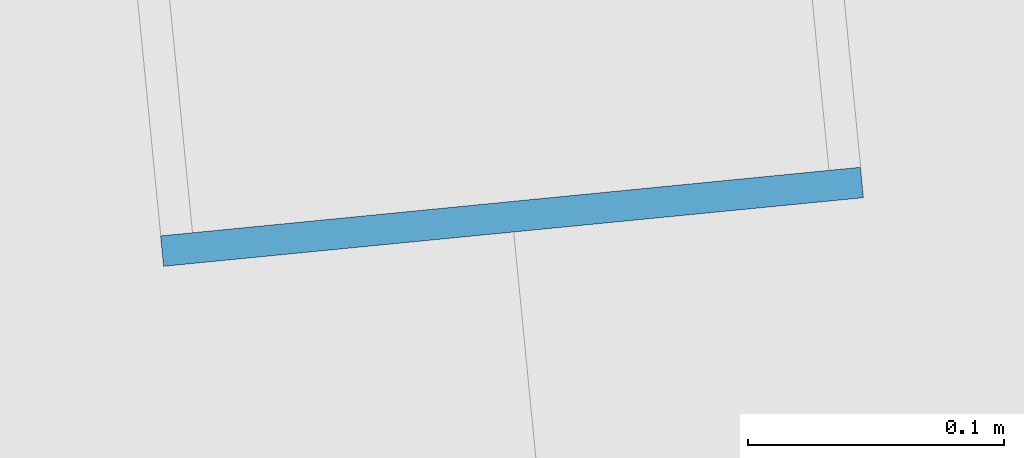
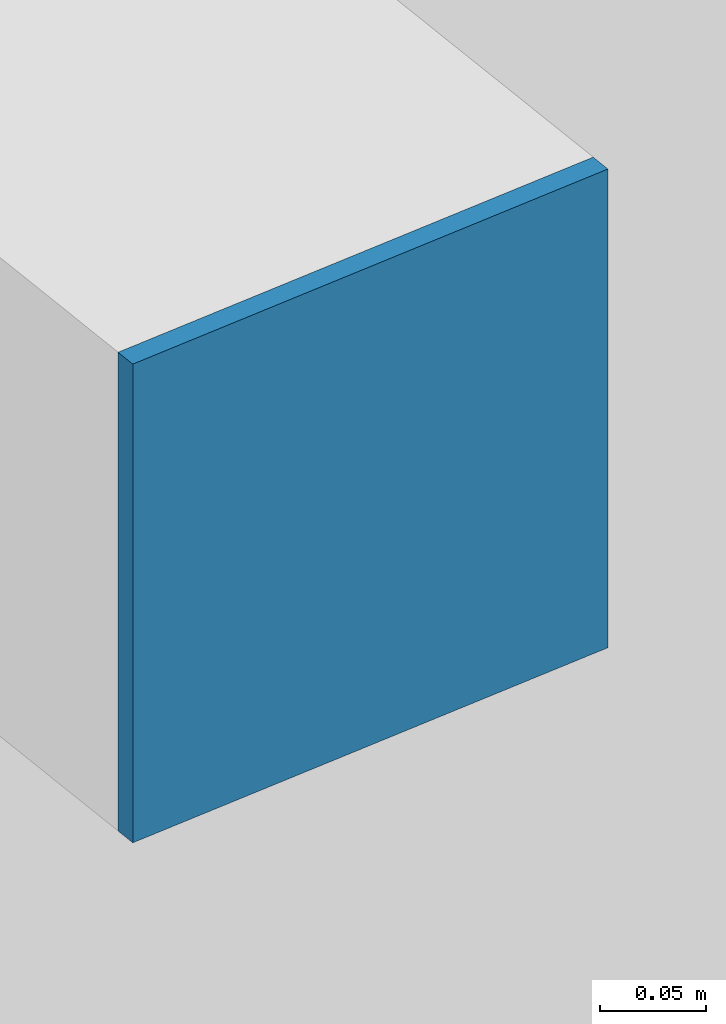
# One storey, part 39 of 54: 1 plate.
"""IFC4 building model written with IfcOpenShell, lengths in metres."""

import ifcopenshell
import ifcopenshell.guid

model = None  # the IFC model being written
_history = None  # IfcOwnerHistory: only IFC2X3 demands one
_inside = {}  # id of a spatial element -> (the spatial element, [elements in it])
_under = {}  # id of a project, library or spatial element -> (it, [spatial elements below it])
_declared = {}  # id of a project -> (the project, [libraries it declares])
_typed = {}  # id of a type object -> (the type object, [elements of that type])
_made_of = {}  # id of a material, layer set ... -> (it, [elements and type objects made of it])


def new_model(schema):
    """Start an empty IFC model of exactly this schema.

    Asked for "IFC4X3", IfcOpenShell would pick the latest addendum, in which some entities
    have other attributes; the version numbers below select the first issue.
    IFC2X3 requires an IfcOwnerHistory on every rooted entity: one is made here for all.
    """
    global model, _history
    if schema == "IFC4X3":
        model = ifcopenshell.file(schema_version=(4, 3, 0, 0))
    else:
        model = ifcopenshell.file(schema=schema)
    _inside.clear()
    _under.clear()
    _declared.clear()
    _typed.clear()
    _made_of.clear()
    _history = None
    if model.schema == "IFC2X3":
        org = make("IfcOrganization", Name="unknown")
        user = make(
            "IfcPersonAndOrganization",
            ThePerson=make("IfcPerson", FamilyName="unknown"),
            TheOrganization=org,
        )
        app = make(
            "IfcApplication",
            ApplicationDeveloper=org,
            Version="unknown",
            ApplicationFullName="unknown",
            ApplicationIdentifier="unknown",
        )
        _history = make(
            "IfcOwnerHistory",
            OwningUser=user,
            OwningApplication=app,
            ChangeAction="ADDED",
            CreationDate=0,
        )
    return model


def make(cls, **values):
    """One entity of the class cls with the attributes given. An attribute that is None is left unset."""
    return model.create_entity(
        cls, **{name: value for name, value in values.items() if value is not None}
    )


def rooted(cls, **values):
    """An entity with a GlobalId (a new one), such as an element, a storey or a relation."""
    return make(cls, GlobalId=ifcopenshell.guid.new(), OwnerHistory=_history, **values)


def si_unit(unit_type, name, prefix=None):
    """IfcSIUnit, for example si_unit("LENGTHUNIT", "METRE", prefix="MILLI")."""
    return make("IfcSIUnit", UnitType=unit_type, Prefix=prefix, Name=name)


def assignment(units):
    """IfcUnitAssignment: the units of a project."""
    return None if units is None else make("IfcUnitAssignment", Units=units)


def point(xyz):
    """IfcCartesianPoint."""
    return None if xyz is None else make("IfcCartesianPoint", Coordinates=xyz)


def direction(xyz):
    """IfcDirection."""
    return None if xyz is None else make("IfcDirection", DirectionRatios=xyz)


def frame(location, z_axis=None, x_axis=None):
    """IfcAxis2Placement3D, a coordinate frame: its origin and axes. An axis left out is left unset."""
    return make(
        "IfcAxis2Placement3D",
        Location=point(location),
        Axis=direction(z_axis),
        RefDirection=direction(x_axis),
    )


def frame_2d(location, x_axis=None):
    """IfcAxis2Placement2D, a coordinate frame in the plane: its origin and x axis."""
    return make(
        "IfcAxis2Placement2D", Location=point(location), RefDirection=direction(x_axis)
    )


def origin():
    """The frame at (0, 0, 0) with its axes left unset."""
    return frame((0.0, 0.0, 0.0))


def origin_2d():
    """The frame at (0, 0) in the plane with its x axis left unset."""
    return frame_2d((0.0, 0.0))


def place(relative_to, where):
    """IfcLocalPlacement: puts the frame where relative to a parent placement (None: the world)."""
    return make(
        "IfcLocalPlacement", PlacementRelTo=relative_to, RelativePlacement=where
    )


def context(
    kind, dimensions, precision=None, world=None, true_north=None, identifier=None
):
    """IfcGeometricRepresentationContext, for example the 3D "Model" context."""
    return make(
        "IfcGeometricRepresentationContext",
        ContextIdentifier=identifier,
        ContextType=kind,
        CoordinateSpaceDimension=dimensions,
        Precision=precision,
        WorldCoordinateSystem=world,
        TrueNorth=true_north,
    )


def subcontext(parent, identifier, kind, view, scale=None):
    """IfcGeometricRepresentationSubContext, for example "Body" below "Model"."""
    return make(
        "IfcGeometricRepresentationSubContext",
        ContextIdentifier=identifier,
        ContextType=kind,
        ParentContext=parent,
        TargetScale=scale,
        TargetView=view,
    )


def project(units=None, contexts=None):
    """IfcProject with its units and contexts."""
    return rooted(
        "IfcProject",
        Name="project",
        RepresentationContexts=contexts,
        UnitsInContext=assignment(units),
    )


def spatial(cls, under=None, at=None, **own):
    """A site, building, storey or space (cls), placed at a placement, below another one or the project."""
    s = rooted(cls, ObjectPlacement=at, **own)
    if under is not None:
        _under.setdefault(under.id(), (under, []))[1].append(s)
    return s


def profile(cls, at=None, kind="AREA", **sizes):
    """A parametric profile (cls). Its sizes go by their IFC names, for example OverallWidth=200.0."""
    return make(cls, ProfileType=kind, Position=at, **sizes)


def rectangle(**sizes):
    """IfcRectangleProfileDef."""
    return profile("IfcRectangleProfileDef", **sizes)


def extrude(swept, where, along, depth):
    """IfcExtrudedAreaSolid: the profile swept, set in the frame where, extruded along a direction by depth."""
    return make(
        "IfcExtrudedAreaSolid",
        SweptArea=swept,
        Position=where,
        ExtrudedDirection=direction(along),
        Depth=depth,
    )


def shape(context_of_items, identifier, shape_type, items):
    """IfcShapeRepresentation: the items that make up one representation, for example the "Body"."""
    return make(
        "IfcShapeRepresentation",
        ContextOfItems=context_of_items,
        RepresentationIdentifier=identifier,
        RepresentationType=shape_type,
        Items=items,
    )


def source(mapping_origin, context_of_items, identifier, shape_type, items):
    """IfcRepresentationMap: a shape defined once, which mapped items show again and again."""
    return make(
        "IfcRepresentationMap",
        MappingOrigin=mapping_origin,
        MappedRepresentation=shape(context_of_items, identifier, shape_type, items),
    )


def transform(
    local_origin,
    x_axis=None,
    y_axis=None,
    z_axis=None,
    scale=None,
    scale2=None,
    scale3=None,
    uniform=True,
):
    """IfcCartesianTransformationOperator3D, or its non-uniform kind. x_axis, y_axis, z_axis: its Axis1, 2, 3."""
    if uniform:
        return make(
            "IfcCartesianTransformationOperator3D",
            Axis1=direction(x_axis),
            Axis2=direction(y_axis),
            LocalOrigin=point(local_origin),
            Scale=scale,
            Axis3=direction(z_axis),
        )
    return make(
        "IfcCartesianTransformationOperator3DnonUniform",
        Axis1=direction(x_axis),
        Axis2=direction(y_axis),
        LocalOrigin=point(local_origin),
        Scale=scale,
        Axis3=direction(z_axis),
        Scale2=scale2,
        Scale3=scale3,
    )


def mapped(mapping_source, mapping_target):
    """IfcMappedItem: shows the shape of a source again, moved by a transform."""
    return make(
        "IfcMappedItem", MappingSource=mapping_source, MappingTarget=mapping_target
    )


def material(Name=None, Category=None):
    """IfcMaterial."""
    return make("IfcMaterial", Name=Name, Category=Category)


def layer(
    of_material, thickness, ventilated=None, Name=None, Category=None, Priority=None
):
    """IfcMaterialLayer: one layer of a wall or slab, of a material (None: an air gap)."""
    return make(
        "IfcMaterialLayer",
        Material=of_material,
        LayerThickness=thickness,
        IsVentilated=ventilated,
        Name=Name,
        Category=Category,
        Priority=Priority,
    )


def layer_set(layers, Name=None):
    """IfcMaterialLayerSet."""
    return make("IfcMaterialLayerSet", MaterialLayers=layers, LayerSetName=Name)


def made_of(thing, what):
    """Note that an element or type object is made of a material, layer set ...; save() writes the relation."""
    if what is not None:
        _made_of.setdefault(what.id(), (what, []))[1].append(thing)
    return thing


def type_object(cls, material=None, **own):
    """A type object (cls), such as IfcWallType, which elements share."""
    return made_of(rooted(cls, **own), material)


def element(
    cls,
    number,
    at=None,
    inside=None,
    cuts=None,
    type_object=None,
    material=None,
    context=None,
    identifier="Body",
    shape_type=None,
    held_by="IfcProductDefinitionShape",
    body=None,
    shapes=None,
    **own,
):
    """One element of the class cls, such as IfcWall. Its Tag is "e" and its number.

    at: its placement. inside: the storey or other place that contains it. cuts: it is an
    opening in that element (IfcRelVoidsElement). A single representation is given by context,
    identifier, shape_type and body (its items); several are given by shapes. held_by: the class
    of the entity that holds the representations. save() writes the other relations.
    """
    e = rooted(cls, Tag="e%d" % number, ObjectPlacement=at, **own)
    if body is not None:
        shapes = [shape(context, identifier, shape_type, body)]
    if shapes is not None:
        e.Representation = make(held_by, Representations=shapes)
    if inside is not None:
        _inside.setdefault(inside.id(), (inside, []))[1].append(e)
    if cuts is not None:
        rooted(
            "IfcRelVoidsElement", RelatingBuildingElement=cuts, RelatedOpeningElement=e
        )
    if type_object is not None:
        _typed.setdefault(type_object.id(), (type_object, []))[1].append(e)
    return made_of(e, material)


def aggregate(whole, parts):
    """IfcRelAggregates: a whole, such as a stair, and the parts it consists of."""
    return rooted("IfcRelAggregates", RelatingObject=whole, RelatedObjects=parts)


def save(model, path):
    """Write the relations noted so far, then the file.

    IfcRelAggregates (storeys below a building ...), IfcRelContainedInSpatialStructure (elements
    in a storey), IfcRelDefinesByType, IfcRelAssociatesMaterial and IfcRelDeclares: one each for
    every whole, place, type object, material and project.
    """
    for whole, parts in _under.values():
        aggregate(whole, parts)
    for where, things in _inside.values():
        rooted(
            "IfcRelContainedInSpatialStructure",
            RelatedElements=things,
            RelatingStructure=where,
        )
    for kind, things in _typed.values():
        rooted("IfcRelDefinesByType", RelatedObjects=things, RelatingType=kind)
    for what, things in _made_of.values():
        rooted("IfcRelAssociatesMaterial", RelatedObjects=things, RelatingMaterial=what)
    for by, libraries in _declared.values():
        rooted("IfcRelDeclares", RelatingContext=by, RelatedDefinitions=libraries)
    model.write(path)


model = new_model("IFC4")

# Units and contexts
model_context = context("Model", 3, precision=1e-05, world=origin(), true_north=direction((0.0, 1.0)))
body_context = subcontext(model_context, "Body", "Model", "MODEL_VIEW")
ifc_project = project(units=[si_unit("LENGTHUNIT", "METRE"), si_unit("AREAUNIT", "SQUARE_METRE"), si_unit("VOLUMEUNIT", "CUBIC_METRE"), si_unit("PLANEANGLEUNIT", "RADIAN"), si_unit("MASSUNIT", "GRAM", prefix="KILO")], contexts=[model_context])

# Site, building, storey
site_placement = place(None, origin())
site = spatial("IfcSite", under=ifc_project, at=site_placement, CompositionType="ELEMENT")
building_placement = place(site_placement, origin())
building = spatial("IfcBuilding", under=site, at=building_placement, Name="Taldren Reach Tower", CompositionType="ELEMENT")
storey_placement = place(building_placement, frame((0.0, 0.0, 99.75)))
storey = spatial("IfcBuildingStorey", under=building, at=storey_placement, Name="L30", CompositionType="ELEMENT", Elevation=99.75)

# Plate
ifc_material = material(Name="Steel Gr 450 (C450L0)", Category="steel")
ifc_layer = layer(ifc_material, 0.011962890625)
ifc_layer_set = layer_set([ifc_layer], Name="Steel Gr 450 (C450L0)")
plate_type = type_object("IfcPlateType", Name="PL-CAP-275", PredefinedType="SHEET", material=ifc_layer_set)
shared_shape = source(origin(), body_context, "Body", "SweptSolid", [
    extrude(rectangle(XDim=0.27490234375, YDim=0.011962890625, at=origin_2d()), origin(), (0.0, 0.0, 1.0), 0.27490234375),
])
plate_placement = place(storey_placement, frame((34.353515625, 0.2607421875, 2.512451171875), z_axis=(0.0, 0.0, 1.0), x_axis=(0.995227399982, 0.097582899759, 0.0)))
element("IfcPlate", 1, at=plate_placement, inside=storey, type_object=plate_type, Name="Tie strut end cap plate B2-S3 L30", PredefinedType="SHEET", context=body_context, shape_type="MappedRepresentation", body=[
    mapped(shared_shape, transform((0.0, 0.0, 0.0), scale=1.0)),
])

save(model, "model.ifc")
